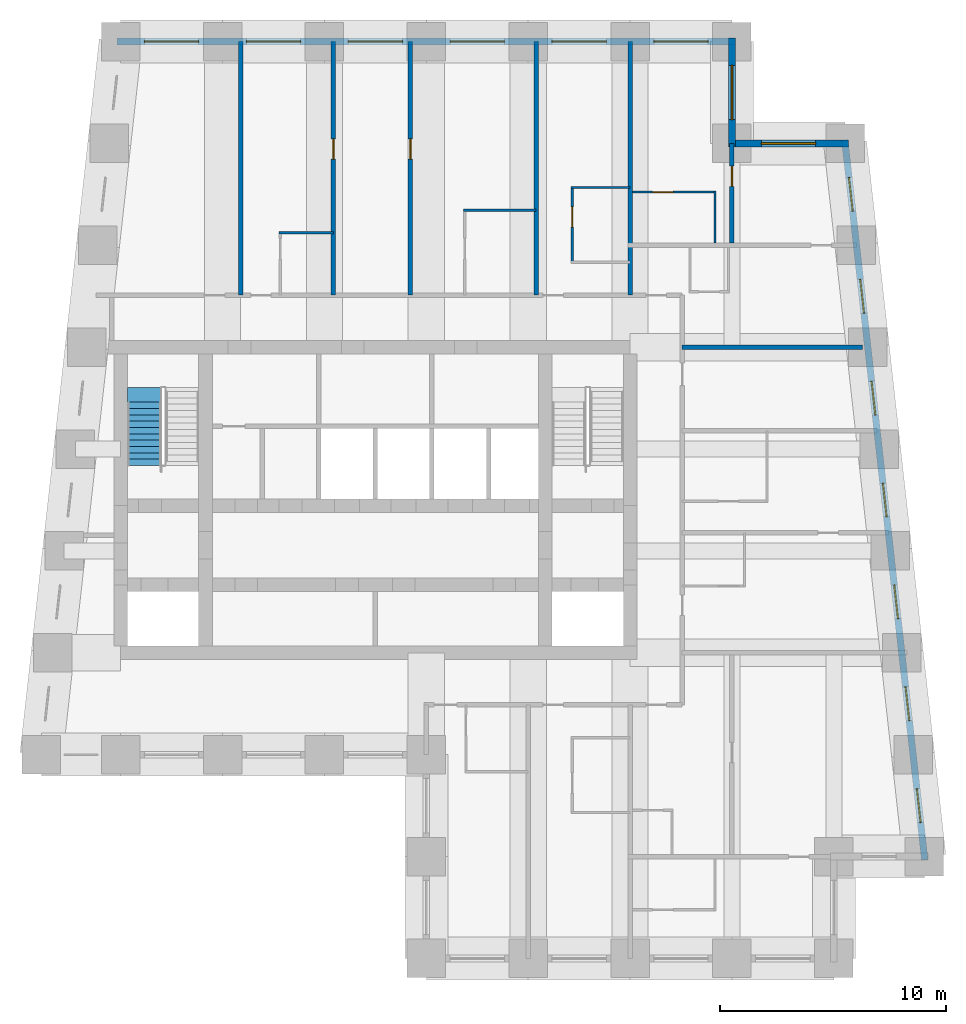
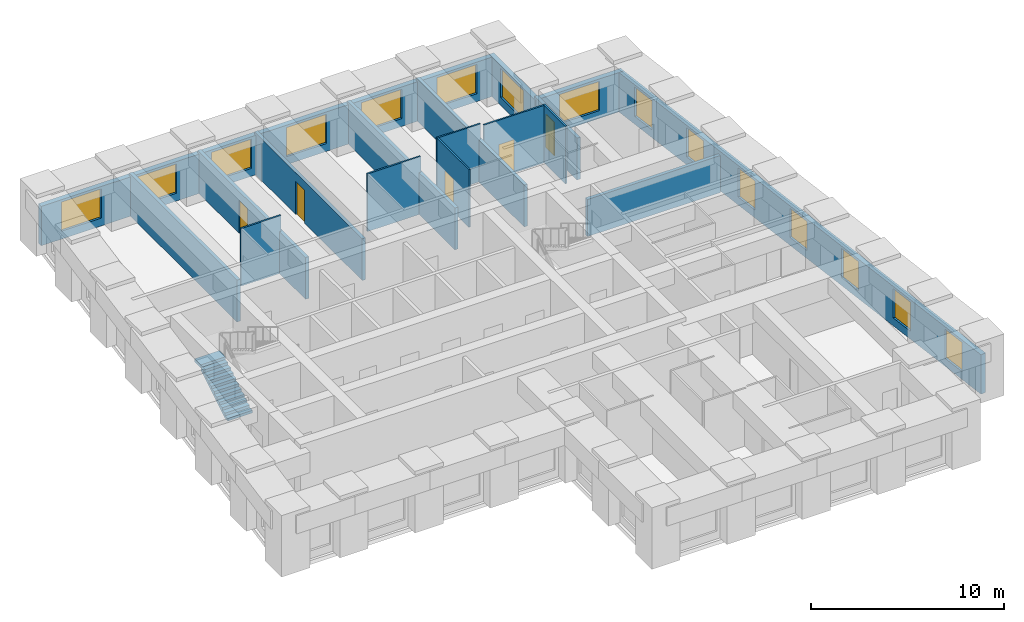
# One storey, part 5 of 7: 17 walls, 15 windows, 5 doors, 1 stair flight, 20 openings, 1 element without a shape of its own.
"""IFC4 building model written with IfcOpenShell, lengths in metres."""

from ifc_helpers import new_model, si_unit, direction, frame, frame_2d, origin, place, context, subcontext, project, spatial, polyline, rectangle, outline, extrude, material, layer, layer_set, type_object, element, fill, aggregate, save


model = new_model("IFC4")

# Units and contexts
model_context = context("Model", 3, precision=1e-05, world=origin(), true_north=direction((0.0, 1.0)))
body_context = subcontext(model_context, "Body", "Model", "MODEL_VIEW")
ifc_project = project(units=[si_unit("LENGTHUNIT", "METRE"), si_unit("AREAUNIT", "SQUARE_METRE"), si_unit("VOLUMEUNIT", "CUBIC_METRE"), si_unit("PLANEANGLEUNIT", "RADIAN"), si_unit("MASSUNIT", "GRAM", prefix="KILO")], contexts=[model_context])

# Site, building, storey
site_placement = place(None, origin())
site = spatial("IfcSite", under=ifc_project, at=site_placement, CompositionType="ELEMENT")
building_placement = place(site_placement, origin())
building = spatial("IfcBuilding", under=site, at=building_placement, Name="Kilele Tower Hotel", CompositionType="ELEMENT")
storey_placement = place(building_placement, frame((0.0, 0.0, 233.0)))
storey = spatial("IfcBuildingStorey", under=building, at=storey_placement, Name="L60", CompositionType="ELEMENT", Elevation=233.0)

# Walls
ifc_material_1 = material(Name="Moisture-resistant board")
ifc_layer_1 = layer(ifc_material_1, 0.10009765625)
ifc_layer_set_1 = layer_set([ifc_layer_1], Name="Moisture-resistant board")
wall_type_1 = type_object("IfcWallType", Name="Bathroom partition 100", PredefinedType="PLUMBINGWALL", material=ifc_layer_set_1)
wall_1_placement = place(storey_placement, frame((20.5, 32.050048828125, 0.0), z_axis=(0.0, 0.0, 1.0), x_axis=(1.0, 0.0, 0.0)))
element("IfcWall", 1, at=wall_1_placement, inside=storey, type_object=wall_type_1, Name="Bathroom partition 100 L60", PredefinedType="PLUMBINGWALL", context=body_context, shape_type="SweptSolid", body=[
    extrude(rectangle(XDim=2.39990234375, YDim=0.10009765625, at=frame_2d((1.199951171875, 0.0))), origin(), (0.0, 0.0, 1.0), 3.64990234375),
])
wall_2_placement = place(storey_placement, frame((28.64990234375, 33.050048828125, 0.0), z_axis=(0.0, 0.0, 1.0), x_axis=(1.0, 0.0, 0.0)))
element("IfcWall", 2, at=wall_2_placement, inside=storey, type_object=wall_type_1, Name="Bathroom partition 100 L60", PredefinedType="PLUMBINGWALL", context=body_context, shape_type="SweptSolid", body=[
    extrude(rectangle(XDim=3.2001953125, YDim=0.10009765625, at=frame_2d((1.60009765625, 0.0))), origin(), (0.0, 0.0, 1.0), 3.64990234375),
])
wall_3_placement = place(storey_placement, frame((33.39990234375, 34.050048828125, 0.0), z_axis=(0.0, 0.0, 1.0), x_axis=(1.0, 0.0, 0.0)))
element("IfcWall", 3, at=wall_3_placement, inside=storey, type_object=wall_type_1, Name="Bathroom partition 100 L60", PredefinedType="PLUMBINGWALL", context=body_context, shape_type="SweptSolid", body=[
    extrude(rectangle(XDim=2.60009765625, YDim=0.10009765625, at=frame_2d((1.300048828125, 0.0))), origin(), (0.0, 0.0, 1.0), 3.64990234375),
])

# Wall, opening, door
wall_4_placement = place(storey_placement, frame((33.449951171875, 30.699951171875, 0.0), z_axis=(0.0, 0.0, 1.0), x_axis=(0.0, 1.0, 0.0)))
wall_4 = element("IfcWall", 4, at=wall_4_placement, inside=storey, type_object=wall_type_1, Name="Bathroom partition 100 L60", PredefinedType="PLUMBINGWALL", context=body_context, shape_type="SweptSolid", body=[
    extrude(rectangle(XDim=3.400146484375, YDim=0.10009765625, at=frame_2d((1.7001953125, 0.0))), origin(), (0.0, 0.0, 1.0), 3.64990234375),
])
opening_1_placement = place(wall_4_placement, frame((1.60009765625, 0.0, 0.0)))
opening_1 = element("IfcOpeningElement", 5, at=opening_1_placement, cuts=wall_4, Name="Opening D2A", PredefinedType="OPENING", context=body_context, shape_type="SweptSolid", body=[
    extrude(rectangle(XDim=0.89990234375, YDim=2.10009765625, at=frame_2d((0.449951171875, 1.050048828125))), frame((0.0, 0.06005859375, 0.0), z_axis=(0.0, -1.0, 0.0), x_axis=(1.0, 0.0, 0.0)), (0.0, 0.0, 1.0), 0.1201171875),
])
ifc_material_2 = material(Name="Timber door leaf in hardwood frame", Category="wood")
door_type_1 = type_object("IfcDoorType", Name="Bathroom door 900", OperationType="SINGLE_SWING_LEFT", PredefinedType="DOOR", material=ifc_material_2)
door_1_placement = place(opening_1_placement, origin())
door_1 = element("IfcDoor", 6, at=door_1_placement, inside=storey, type_object=door_type_1, Name="Bathroom door 6011B", OperationType="SINGLE_SWING_RIGHT", OverallHeight=2.10009765625, OverallWidth=0.89990234375, PredefinedType="DOOR", context=body_context, shape_type="SweptSolid", body=[
    extrude(rectangle(XDim=0.89990234375, YDim=2.10009765625, at=frame_2d((0.449951171875, 1.050048828125))), frame((0.0, 0.02490234375, 0.0), z_axis=(0.0, -1.0, 0.0), x_axis=(1.0, 0.0, 0.0)), (0.0, 0.0, 1.0), 0.050048828125),
])
fill(opening_1, door_1)

# Wall
wall_5_placement = place(storey_placement, frame((39.75, 31.60009765625, 0.0), z_axis=(0.0, 0.0, 1.0), x_axis=(0.0, 1.0, 0.0)))
element("IfcWall", 7, at=wall_5_placement, inside=storey, type_object=wall_type_1, Name="Bathroom partition 100 L60", PredefinedType="PLUMBINGWALL", context=body_context, shape_type="SweptSolid", body=[
    extrude(rectangle(XDim=2.2998046875, YDim=0.10009765625, at=frame_2d((1.14990234375, 0.0))), origin(), (0.0, 0.0, 1.0), 3.64990234375),
])

# Wall, opening, door
wall_6_placement = place(storey_placement, frame((36.10009765625, 33.85009765625, 0.0), z_axis=(0.0, 0.0, 1.0), x_axis=(1.0, 0.0, 0.0)))
wall_6 = element("IfcWall", 8, at=wall_6_placement, inside=storey, type_object=wall_type_1, Name="Bathroom partition 100 L60", PredefinedType="PLUMBINGWALL", context=body_context, shape_type="SweptSolid", body=[
    extrude(rectangle(XDim=3.699951171875, YDim=0.10009765625, at=frame_2d((1.85009765625, 0.0))), origin(), (0.0, 0.0, 1.0), 3.64990234375),
])
opening_2_placement = place(wall_6_placement, frame((0.89990234375, 0.0, 0.0)))
opening_2 = element("IfcOpeningElement", 9, at=opening_2_placement, cuts=wall_6, Name="Opening D2A", PredefinedType="OPENING", context=body_context, shape_type="SweptSolid", body=[
    extrude(rectangle(XDim=0.89990234375, YDim=2.10009765625, at=frame_2d((0.449951171875, 1.050048828125))), frame((0.0, 0.06005859375, 0.0), z_axis=(0.0, -1.0, 0.0), x_axis=(1.0, 0.0, 0.0)), (0.0, 0.0, 1.0), 0.1201171875),
])
door_2_placement = place(opening_2_placement, origin())
door_2 = element("IfcDoor", 10, at=door_2_placement, inside=storey, type_object=door_type_1, Name="Bathroom door 6016B", OperationType="SINGLE_SWING_LEFT", OverallHeight=2.10009765625, OverallWidth=0.89990234375, PredefinedType="DOOR", context=body_context, shape_type="SweptSolid", body=[
    extrude(rectangle(XDim=0.89990234375, YDim=2.10009765625, at=frame_2d((0.449951171875, 1.050048828125))), frame((0.0, 0.02490234375, 0.0), z_axis=(0.0, -1.0, 0.0), x_axis=(1.0, 0.0, 0.0)), (0.0, 0.0, 1.0), 0.050048828125),
])
fill(opening_2, door_2)

ifc_material_3 = material(Name="Blockwork, plastered both sides", Category="masonry")
ifc_layer_2 = layer(ifc_material_3, 0.199951171875)
ifc_layer_set_2 = layer_set([ifc_layer_2], Name="Blockwork, plastered both sides")
wall_type_2 = type_object("IfcWallType", Name="Partition wall 200", PredefinedType="PARTITIONING", material=ifc_layer_set_2)
wall_7_placement = place(storey_placement, frame((40.5, 31.60009765625, 0.0), z_axis=(0.0, 0.0, 1.0), x_axis=(0.0, 1.0, 0.0)))
wall_7 = element("IfcWall", 11, at=wall_7_placement, inside=storey, type_object=wall_type_2, Name="Partition wall 200 L60", PredefinedType="PARTITIONING", context=body_context, shape_type="SweptSolid", body=[
    extrude(rectangle(XDim=4.39990234375, YDim=0.199951171875, at=frame_2d((2.199951171875, 0.0))), origin(), (0.0, 0.0, 1.0), 2.64990234375),
])
opening_3_placement = place(wall_7_placement, frame((2.5, 0.0, 0.0)))
opening_3 = element("IfcOpeningElement", 12, at=opening_3_placement, cuts=wall_7, Name="Opening D3", PredefinedType="OPENING", context=body_context, shape_type="SweptSolid", body=[
    extrude(rectangle(XDim=0.89990234375, YDim=2.10009765625, at=frame_2d((0.449951171875, 1.050048828125))), frame((0.0, 0.10986328125, 0.0), z_axis=(0.0, -1.0, 0.0), x_axis=(1.0, 0.0, 0.0)), (0.0, 0.0, 1.0), 0.219970703125),
])
ifc_material_4 = material(Name="Timber door leaf in hardwood frame", Category="wood")
door_type_2 = type_object("IfcDoorType", Name="Suite internal door 900", OperationType="SINGLE_SWING_LEFT", PredefinedType="DOOR", material=ifc_material_4)
door_3_placement = place(opening_3_placement, origin())
door_3 = element("IfcDoor", 13, at=door_3_placement, inside=storey, type_object=door_type_2, Name="Suite door 6017", OperationType="SINGLE_SWING_LEFT", OverallHeight=2.10009765625, OverallWidth=0.89990234375, PredefinedType="DOOR", context=body_context, shape_type="SweptSolid", body=[
    extrude(rectangle(XDim=0.89990234375, YDim=2.10009765625, at=frame_2d((0.449951171875, 1.050048828125))), frame((0.0, 0.02490234375, 0.0), z_axis=(0.0, -1.0, 0.0), x_axis=(1.0, 0.0, 0.0)), (0.0, 0.0, 1.0), 0.050048828125),
])
fill(opening_3, door_3)

# Wall
ifc_material_5 = material(Name="Blockwork, plastered both sides", Category="masonry")
ifc_layer_3 = layer(ifc_material_5, 0.199951171875)
ifc_layer_set_3 = layer_set([ifc_layer_3], Name="Blockwork, plastered both sides")
wall_type_3 = type_object("IfcWallType", Name="Party wall 200", PredefinedType="PARTITIONING", material=ifc_layer_set_3)
wall_8_placement = place(storey_placement, frame((18.800048828125, 29.300048828125, 0.0), z_axis=(0.0, 0.0, 1.0), x_axis=(0.0, 1.0, 0.0)))
element("IfcWall", 14, at=wall_8_placement, inside=storey, type_object=wall_type_3, Name="Party wall 200 L60", PredefinedType="PARTITIONING", context=body_context, shape_type="SweptSolid", body=[
    extrude(rectangle(XDim=11.199951171875, YDim=0.199951171875, at=frame_2d((5.60009765625, 0.0))), origin(), (0.0, 0.0, 1.0), 2.64990234375),
])

# Wall, opening, door
wall_9_placement = place(storey_placement, frame((22.89990234375, 29.300048828125, 0.0), z_axis=(0.0, 0.0, 1.0), x_axis=(0.0, 1.0, 0.0)))
wall_9 = element("IfcWall", 15, at=wall_9_placement, inside=storey, type_object=wall_type_3, Name="Party wall 200 L60", PredefinedType="PARTITIONING", context=body_context, shape_type="SweptSolid", body=[
    extrude(rectangle(XDim=11.199951171875, YDim=0.199951171875, at=frame_2d((5.60009765625, 0.0))), origin(), (0.0, 0.0, 1.0), 2.64990234375),
])
opening_4_placement = place(wall_9_placement, frame((6.0, 0.0, 0.0)))
opening_4 = element("IfcOpeningElement", 16, at=opening_4_placement, cuts=wall_9, Name="Opening D3", PredefinedType="OPENING", context=body_context, shape_type="SweptSolid", body=[
    extrude(rectangle(XDim=0.89990234375, YDim=2.10009765625, at=frame_2d((0.449951171875, 1.050048828125))), frame((0.0, 0.10986328125, 0.0), z_axis=(0.0, -1.0, 0.0), x_axis=(1.0, 0.0, 0.0)), (0.0, 0.0, 1.0), 0.219970703125),
])
door_4_placement = place(opening_4_placement, origin())
door_4 = element("IfcDoor", 17, at=door_4_placement, inside=storey, type_object=door_type_2, Name="Suite door 6009", OperationType="SINGLE_SWING_RIGHT", OverallHeight=2.10009765625, OverallWidth=0.89990234375, PredefinedType="DOOR", context=body_context, shape_type="SweptSolid", body=[
    extrude(rectangle(XDim=0.89990234375, YDim=2.10009765625, at=frame_2d((0.449951171875, 1.050048828125))), frame((0.0, 0.02490234375, 0.0), z_axis=(0.0, -1.0, 0.0), x_axis=(1.0, 0.0, 0.0)), (0.0, 0.0, 1.0), 0.050048828125),
])
fill(opening_4, door_4)

wall_10_placement = place(storey_placement, frame((26.300048828125, 29.300048828125, 0.0), z_axis=(0.0, 0.0, 1.0), x_axis=(0.0, 1.0, 0.0)))
wall_10 = element("IfcWall", 18, at=wall_10_placement, inside=storey, type_object=wall_type_3, Name="Party wall 200 L60", PredefinedType="PARTITIONING", context=body_context, shape_type="SweptSolid", body=[
    extrude(rectangle(XDim=11.199951171875, YDim=0.199951171875, at=frame_2d((5.60009765625, 0.0))), origin(), (0.0, 0.0, 1.0), 2.64990234375),
])
opening_5_placement = place(wall_10_placement, frame((6.0, 0.0, 0.0)))
opening_5 = element("IfcOpeningElement", 19, at=opening_5_placement, cuts=wall_10, Name="Opening D3", PredefinedType="OPENING", context=body_context, shape_type="SweptSolid", body=[
    extrude(rectangle(XDim=0.89990234375, YDim=2.10009765625, at=frame_2d((0.449951171875, 1.050048828125))), frame((0.0, 0.10986328125, 0.0), z_axis=(0.0, -1.0, 0.0), x_axis=(1.0, 0.0, 0.0)), (0.0, 0.0, 1.0), 0.219970703125),
])
door_5_placement = place(opening_5_placement, origin())
door_5 = element("IfcDoor", 20, at=door_5_placement, inside=storey, type_object=door_type_2, Name="Suite door 6010", OperationType="SINGLE_SWING_RIGHT", OverallHeight=2.10009765625, OverallWidth=0.89990234375, PredefinedType="DOOR", context=body_context, shape_type="SweptSolid", body=[
    extrude(rectangle(XDim=0.89990234375, YDim=2.10009765625, at=frame_2d((0.449951171875, 1.050048828125))), frame((0.0, 0.02490234375, 0.0), z_axis=(0.0, -1.0, 0.0), x_axis=(1.0, 0.0, 0.0)), (0.0, 0.0, 1.0), 0.050048828125),
])
fill(opening_5, door_5)

# Walls
wall_11_placement = place(storey_placement, frame((31.85009765625, 29.300048828125, 0.0), z_axis=(0.0, 0.0, 1.0), x_axis=(0.0, 1.0, 0.0)))
element("IfcWall", 21, at=wall_11_placement, inside=storey, type_object=wall_type_3, Name="Party wall 200 L60", PredefinedType="PARTITIONING", context=body_context, shape_type="SweptSolid", body=[
    extrude(rectangle(XDim=11.199951171875, YDim=0.199951171875, at=frame_2d((5.60009765625, 0.0))), origin(), (0.0, 0.0, 1.0), 2.64990234375),
])
wall_12_placement = place(storey_placement, frame((38.300048828125, 27.0, 0.0), z_axis=(0.0, 0.0, 1.0), x_axis=(1.0, 0.0, 0.0)))
element("IfcWall", 22, at=wall_12_placement, inside=storey, type_object=wall_type_3, Name="Party wall 200 L60", PredefinedType="PARTITIONING", context=body_context, shape_type="SweptSolid", body=[
    extrude(rectangle(XDim=7.976806640625, YDim=0.199951171875, at=frame_2d((3.98828125, 0.0))), origin(), (0.0, 0.0, 1.0), 2.35009765625),
])
wall_13_placement = place(storey_placement, frame((36.0, 29.300048828125, 0.0), z_axis=(0.0, 0.0, 1.0), x_axis=(0.0, 1.0, 0.0)))
element("IfcWall", 23, at=wall_13_placement, inside=storey, type_object=wall_type_3, Name="Party wall 200 L60", PredefinedType="PARTITIONING", context=body_context, shape_type="SweptSolid", body=[
    extrude(rectangle(XDim=11.199951171875, YDim=0.199951171875, at=frame_2d((5.60009765625, 0.0))), origin(), (0.0, 0.0, 1.0), 2.64990234375),
])

# Wall, openings, windows
ifc_material_6 = material(Name="Concrete C40/50 precast", Category="concrete")
ifc_layer_4 = layer(ifc_material_6, 0.260009765625, Name="Precast backing", Category="LoadBearing")
ifc_material_7 = material(Name="Reconstituted stone finish", Category="masonry")
ifc_layer_5 = layer(ifc_material_7, 0.0400390625, Name="Face mix", Category="Finish")
ifc_layer_set_4 = layer_set([ifc_layer_4, ifc_layer_5], Name="Precast concrete C40/50, reconstituted stone finish")
wall_type_4 = type_object("IfcWallType", Name="Precast stone facade wall 300", PredefinedType="STANDARD", material=ifc_layer_set_4)
wall_14_placement = place(storey_placement, frame((49.0166015625, 4.350830078125, 0.0), z_axis=(0.0, 0.0, 1.0), x_axis=(-0.110433201132, 0.993883548555, 0.0)))
wall_14 = element("IfcWall", 24, at=wall_14_placement, inside=storey, type_object=wall_type_4, Name="Facade wall L60 edge 6", PredefinedType="STANDARD", context=body_context, shape_type="SweptSolid", body=[
    extrude(rectangle(XDim=31.994140625, YDim=0.300048828125, at=frame_2d((15.9970703125, 0.0))), origin(), (0.0, 0.0, 1.0), 2.5),
])
opening_6_placement = place(wall_14_placement, frame((1.6640625, 0.0, 0.5)))
opening_6 = element("IfcOpeningElement", 25, at=opening_6_placement, cuts=wall_14, Name="Opening W4", PredefinedType="OPENING", context=body_context, shape_type="SweptSolid", body=[
    extrude(rectangle(XDim=1.5, YDim=1.85009765625, at=frame_2d((0.75, 0.925048828125))), frame((0.0, 0.159912109375, 0.0), z_axis=(0.0, -1.0, 0.0), x_axis=(1.0, 0.0, 0.0)), (0.0, 0.0, 1.0), 0.320068359375),
])
opening_7_placement = place(wall_14_placement, frame((6.19189453125, 0.0, 0.5)))
opening_7 = element("IfcOpeningElement", 26, at=opening_7_placement, cuts=wall_14, Name="Opening W4", PredefinedType="OPENING", context=body_context, shape_type="SweptSolid", body=[
    extrude(rectangle(XDim=1.5, YDim=1.85009765625, at=frame_2d((0.75, 0.925048828125))), frame((0.0, 0.159912109375, 0.0), z_axis=(0.0, -1.0, 0.0), x_axis=(1.0, 0.0, 0.0)), (0.0, 0.0, 1.0), 0.320068359375),
])
opening_8_placement = place(wall_14_placement, frame((10.718994140625, 0.0, 0.5)))
opening_8 = element("IfcOpeningElement", 27, at=opening_8_placement, cuts=wall_14, Name="Opening W4", PredefinedType="OPENING", context=body_context, shape_type="SweptSolid", body=[
    extrude(rectangle(XDim=1.5, YDim=1.85009765625, at=frame_2d((0.75, 0.925048828125))), frame((0.0, 0.159912109375, 0.0), z_axis=(0.0, -1.0, 0.0), x_axis=(1.0, 0.0, 0.0)), (0.0, 0.0, 1.0), 0.320068359375),
])
opening_9_placement = place(wall_14_placement, frame((15.2470703125, 0.0, 0.5)))
opening_9 = element("IfcOpeningElement", 28, at=opening_9_placement, cuts=wall_14, Name="Opening W4", PredefinedType="OPENING", context=body_context, shape_type="SweptSolid", body=[
    extrude(rectangle(XDim=1.5, YDim=1.85009765625, at=frame_2d((0.75, 0.925048828125))), frame((0.0, 0.159912109375, 0.0), z_axis=(0.0, -1.0, 0.0), x_axis=(1.0, 0.0, 0.0)), (0.0, 0.0, 1.0), 0.320068359375),
])
opening_10_placement = place(wall_14_placement, frame((19.77490234375, 0.0, 0.5)))
opening_10 = element("IfcOpeningElement", 29, at=opening_10_placement, cuts=wall_14, Name="Opening W4", PredefinedType="OPENING", context=body_context, shape_type="SweptSolid", body=[
    extrude(rectangle(XDim=1.5, YDim=1.85009765625, at=frame_2d((0.75, 0.925048828125))), frame((0.0, 0.159912109375, 0.0), z_axis=(0.0, -1.0, 0.0), x_axis=(1.0, 0.0, 0.0)), (0.0, 0.0, 1.0), 0.320068359375),
])
opening_11_placement = place(wall_14_placement, frame((24.302001953125, 0.0, 0.5)))
opening_11 = element("IfcOpeningElement", 30, at=opening_11_placement, cuts=wall_14, Name="Opening W4", PredefinedType="OPENING", context=body_context, shape_type="SweptSolid", body=[
    extrude(rectangle(XDim=1.5, YDim=1.85009765625, at=frame_2d((0.75, 0.925048828125))), frame((0.0, 0.159912109375, 0.0), z_axis=(0.0, -1.0, 0.0), x_axis=(1.0, 0.0, 0.0)), (0.0, 0.0, 1.0), 0.320068359375),
])
opening_12_placement = place(wall_14_placement, frame((28.830078125, 0.0, 0.5)))
opening_12 = element("IfcOpeningElement", 31, at=opening_12_placement, cuts=wall_14, Name="Opening W4", PredefinedType="OPENING", context=body_context, shape_type="SweptSolid", body=[
    extrude(rectangle(XDim=1.5, YDim=1.85009765625, at=frame_2d((0.75, 0.925048828125))), frame((0.0, 0.159912109375, 0.0), z_axis=(0.0, -1.0, 0.0), x_axis=(1.0, 0.0, 0.0)), (0.0, 0.0, 1.0), 0.320068359375),
])
ifc_material_8 = material(Name="Aluminium frame, clear double glazing", Category="aluminium")
window_type_1 = type_object("IfcWindowType", Name="Window W4 1500 x 1850", PartitioningType="SINGLE_PANEL", PredefinedType="WINDOW", material=ifc_material_8)
window_1_placement = place(opening_6_placement, origin())
window_1 = element("IfcWindow", 32, at=window_1_placement, inside=storey, type_object=window_type_1, Name="Window L60", OverallHeight=1.85009765625, OverallWidth=1.5, PartitioningType="SINGLE_PANEL", PredefinedType="WINDOW", context=body_context, shape_type="SweptSolid", body=[
    extrude(rectangle(XDim=1.5, YDim=1.85009765625, at=frame_2d((0.75, 0.925048828125))), frame((0.0, 0.030029296875, 0.0), z_axis=(0.0, -1.0, 0.0), x_axis=(1.0, 0.0, 0.0)), (0.0, 0.0, 1.0), 0.06005859375),
])
fill(opening_6, window_1)
window_2_placement = place(opening_7_placement, origin())
window_2 = element("IfcWindow", 33, at=window_2_placement, inside=storey, type_object=window_type_1, Name="Window L60", OverallHeight=1.85009765625, OverallWidth=1.5, PartitioningType="SINGLE_PANEL", PredefinedType="WINDOW", context=body_context, shape_type="SweptSolid", body=[
    extrude(rectangle(XDim=1.5, YDim=1.85009765625, at=frame_2d((0.75, 0.925048828125))), frame((0.0, 0.030029296875, 0.0), z_axis=(0.0, -1.0, 0.0), x_axis=(1.0, 0.0, 0.0)), (0.0, 0.0, 1.0), 0.06005859375),
])
fill(opening_7, window_2)
window_3_placement = place(opening_8_placement, origin())
window_3 = element("IfcWindow", 34, at=window_3_placement, inside=storey, type_object=window_type_1, Name="Window L60", OverallHeight=1.85009765625, OverallWidth=1.5, PartitioningType="SINGLE_PANEL", PredefinedType="WINDOW", context=body_context, shape_type="SweptSolid", body=[
    extrude(rectangle(XDim=1.5, YDim=1.85009765625, at=frame_2d((0.75, 0.925048828125))), frame((0.0, 0.030029296875, 0.0), z_axis=(0.0, -1.0, 0.0), x_axis=(1.0, 0.0, 0.0)), (0.0, 0.0, 1.0), 0.06005859375),
])
fill(opening_8, window_3)
window_4_placement = place(opening_9_placement, origin())
window_4 = element("IfcWindow", 35, at=window_4_placement, inside=storey, type_object=window_type_1, Name="Window L60", OverallHeight=1.85009765625, OverallWidth=1.5, PartitioningType="SINGLE_PANEL", PredefinedType="WINDOW", context=body_context, shape_type="SweptSolid", body=[
    extrude(rectangle(XDim=1.5, YDim=1.85009765625, at=frame_2d((0.75, 0.925048828125))), frame((0.0, 0.030029296875, 0.0), z_axis=(0.0, -1.0, 0.0), x_axis=(1.0, 0.0, 0.0)), (0.0, 0.0, 1.0), 0.06005859375),
])
fill(opening_9, window_4)
window_5_placement = place(opening_10_placement, origin())
window_5 = element("IfcWindow", 36, at=window_5_placement, inside=storey, type_object=window_type_1, Name="Window L60", OverallHeight=1.85009765625, OverallWidth=1.5, PartitioningType="SINGLE_PANEL", PredefinedType="WINDOW", context=body_context, shape_type="SweptSolid", body=[
    extrude(rectangle(XDim=1.5, YDim=1.85009765625, at=frame_2d((0.75, 0.925048828125))), frame((0.0, 0.030029296875, 0.0), z_axis=(0.0, -1.0, 0.0), x_axis=(1.0, 0.0, 0.0)), (0.0, 0.0, 1.0), 0.06005859375),
])
fill(opening_10, window_5)
window_6_placement = place(opening_11_placement, origin())
window_6 = element("IfcWindow", 37, at=window_6_placement, inside=storey, type_object=window_type_1, Name="Window L60", OverallHeight=1.85009765625, OverallWidth=1.5, PartitioningType="SINGLE_PANEL", PredefinedType="WINDOW", context=body_context, shape_type="SweptSolid", body=[
    extrude(rectangle(XDim=1.5, YDim=1.85009765625, at=frame_2d((0.75, 0.925048828125))), frame((0.0, 0.030029296875, 0.0), z_axis=(0.0, -1.0, 0.0), x_axis=(1.0, 0.0, 0.0)), (0.0, 0.0, 1.0), 0.06005859375),
])
fill(opening_11, window_6)
window_7_placement = place(opening_12_placement, origin())
window_7 = element("IfcWindow", 38, at=window_7_placement, inside=storey, type_object=window_type_1, Name="Window L60", OverallHeight=1.85009765625, OverallWidth=1.5, PartitioningType="SINGLE_PANEL", PredefinedType="WINDOW", context=body_context, shape_type="SweptSolid", body=[
    extrude(rectangle(XDim=1.5, YDim=1.85009765625, at=frame_2d((0.75, 0.925048828125))), frame((0.0, 0.030029296875, 0.0), z_axis=(0.0, -1.0, 0.0), x_axis=(1.0, 0.0, 0.0)), (0.0, 0.0, 1.0), 0.06005859375),
])
fill(opening_12, window_7)

# Wall, opening, window
wall_15_placement = place(storey_placement, frame((45.64990234375, 36.0, 0.0), z_axis=(0.0, 0.0, 1.0), x_axis=(-1.0, 0.0, 0.0)))
wall_15 = element("IfcWall", 39, at=wall_15_placement, inside=storey, type_object=wall_type_4, Name="Facade wall L60 edge 7", PredefinedType="STANDARD", context=body_context, shape_type="SweptSolid", body=[
    extrude(rectangle(XDim=5.2998046875, YDim=0.300048828125, at=frame_2d((2.64990234375, 0.0))), origin(), (0.0, 0.0, 1.0), 2.5),
])
opening_13_placement = place(wall_15_placement, frame((1.449951171875, 0.0, 0.5)))
opening_13 = element("IfcOpeningElement", 40, at=opening_13_placement, cuts=wall_15, Name="Opening W4", PredefinedType="OPENING", context=body_context, shape_type="SweptSolid", body=[
    extrude(rectangle(XDim=2.39990234375, YDim=1.85009765625, at=frame_2d((1.199951171875, 0.925048828125))), frame((0.0, 0.159912109375, 0.0), z_axis=(0.0, -1.0, 0.0), x_axis=(1.0, 0.0, 0.0)), (0.0, 0.0, 1.0), 0.320068359375),
])
ifc_material_9 = material(Name="Aluminium frame, clear double glazing", Category="aluminium")
window_type_2 = type_object("IfcWindowType", Name="Window W4 2400 x 1850", PartitioningType="SINGLE_PANEL", PredefinedType="WINDOW", material=ifc_material_9)
window_8_placement = place(opening_13_placement, origin())
window_8 = element("IfcWindow", 41, at=window_8_placement, inside=storey, type_object=window_type_2, Name="Window L60", OverallHeight=1.85009765625, OverallWidth=2.39990234375, PartitioningType="SINGLE_PANEL", PredefinedType="WINDOW", context=body_context, shape_type="SweptSolid", body=[
    extrude(rectangle(XDim=2.39990234375, YDim=1.85009765625, at=frame_2d((1.199951171875, 0.925048828125))), frame((0.0, 0.030029296875, 0.0), z_axis=(0.0, -1.0, 0.0), x_axis=(1.0, 0.0, 0.0)), (0.0, 0.0, 1.0), 0.06005859375),
])
fill(opening_13, window_8)

wall_16_placement = place(storey_placement, frame((40.5, 35.85009765625, 0.0), z_axis=(0.0, 0.0, 1.0), x_axis=(0.0, 1.0, 0.0)))
wall_16 = element("IfcWall", 42, at=wall_16_placement, inside=storey, type_object=wall_type_4, Name="Facade wall L60 edge 8", PredefinedType="STANDARD", context=body_context, shape_type="SweptSolid", body=[
    extrude(rectangle(XDim=4.7998046875, YDim=0.300048828125, at=frame_2d((2.39990234375, 0.0))), origin(), (0.0, 0.0, 1.0), 2.5),
])
opening_14_placement = place(wall_16_placement, frame((1.199951171875, 0.0, 0.5)))
opening_14 = element("IfcOpeningElement", 43, at=opening_14_placement, cuts=wall_16, Name="Opening W4", PredefinedType="OPENING", context=body_context, shape_type="SweptSolid", body=[
    extrude(rectangle(XDim=2.39990234375, YDim=1.85009765625, at=frame_2d((1.199951171875, 0.925048828125))), frame((0.0, 0.159912109375, 0.0), z_axis=(0.0, -1.0, 0.0), x_axis=(1.0, 0.0, 0.0)), (0.0, 0.0, 1.0), 0.320068359375),
])
window_9_placement = place(opening_14_placement, origin())
window_9 = element("IfcWindow", 44, at=window_9_placement, inside=storey, type_object=window_type_2, Name="Window L60", OverallHeight=1.85009765625, OverallWidth=2.39990234375, PartitioningType="SINGLE_PANEL", PredefinedType="WINDOW", context=body_context, shape_type="SweptSolid", body=[
    extrude(rectangle(XDim=2.39990234375, YDim=1.85009765625, at=frame_2d((1.199951171875, 0.925048828125))), frame((0.0, 0.030029296875, 0.0), z_axis=(0.0, -1.0, 0.0), x_axis=(1.0, 0.0, 0.0)), (0.0, 0.0, 1.0), 0.06005859375),
])
fill(opening_14, window_9)

# Wall, openings, windows
wall_17_placement = place(storey_placement, frame((40.64990234375, 40.5, 0.0), z_axis=(0.0, 0.0, 1.0), x_axis=(-1.0, 0.0, 0.0)))
wall_17 = element("IfcWall", 45, at=wall_17_placement, inside=storey, type_object=wall_type_4, Name="Facade wall L60 edge 9", PredefinedType="STANDARD", context=body_context, shape_type="SweptSolid", body=[
    extrude(rectangle(XDim=27.2998046875, YDim=0.300048828125, at=frame_2d((13.64990234375, 0.0))), origin(), (0.0, 0.0, 1.0), 2.5),
])
opening_15_placement = place(wall_17_placement, frame((1.199951171875, 0.0, 0.5)))
opening_15 = element("IfcOpeningElement", 46, at=opening_15_placement, cuts=wall_17, Name="Opening W4", PredefinedType="OPENING", context=body_context, shape_type="SweptSolid", body=[
    extrude(rectangle(XDim=2.39990234375, YDim=1.85009765625, at=frame_2d((1.199951171875, 0.925048828125))), frame((0.0, 0.159912109375, 0.0), z_axis=(0.0, -1.0, 0.0), x_axis=(1.0, 0.0, 0.0)), (0.0, 0.0, 1.0), 0.320068359375),
])
opening_16_placement = place(wall_17_placement, frame((5.699951171875, 0.0, 0.5)))
opening_16 = element("IfcOpeningElement", 47, at=opening_16_placement, cuts=wall_17, Name="Opening W4", PredefinedType="OPENING", context=body_context, shape_type="SweptSolid", body=[
    extrude(rectangle(XDim=2.39990234375, YDim=1.85009765625, at=frame_2d((1.199951171875, 0.925048828125))), frame((0.0, 0.159912109375, 0.0), z_axis=(0.0, -1.0, 0.0), x_axis=(1.0, 0.0, 0.0)), (0.0, 0.0, 1.0), 0.320068359375),
])
opening_17_placement = place(wall_17_placement, frame((10.199951171875, 0.0, 0.5)))
opening_17 = element("IfcOpeningElement", 48, at=opening_17_placement, cuts=wall_17, Name="Opening W4", PredefinedType="OPENING", context=body_context, shape_type="SweptSolid", body=[
    extrude(rectangle(XDim=2.39990234375, YDim=1.85009765625, at=frame_2d((1.199951171875, 0.925048828125))), frame((0.0, 0.159912109375, 0.0), z_axis=(0.0, -1.0, 0.0), x_axis=(1.0, 0.0, 0.0)), (0.0, 0.0, 1.0), 0.320068359375),
])
opening_18_placement = place(wall_17_placement, frame((14.699951171875, 0.0, 0.5)))
opening_18 = element("IfcOpeningElement", 49, at=opening_18_placement, cuts=wall_17, Name="Opening W4", PredefinedType="OPENING", context=body_context, shape_type="SweptSolid", body=[
    extrude(rectangle(XDim=2.39990234375, YDim=1.85009765625, at=frame_2d((1.199951171875, 0.925048828125))), frame((0.0, 0.159912109375, 0.0), z_axis=(0.0, -1.0, 0.0), x_axis=(1.0, 0.0, 0.0)), (0.0, 0.0, 1.0), 0.320068359375),
])
opening_19_placement = place(wall_17_placement, frame((19.199951171875, 0.0, 0.5)))
opening_19 = element("IfcOpeningElement", 50, at=opening_19_placement, cuts=wall_17, Name="Opening W4", PredefinedType="OPENING", context=body_context, shape_type="SweptSolid", body=[
    extrude(rectangle(XDim=2.39990234375, YDim=1.85009765625, at=frame_2d((1.199951171875, 0.925048828125))), frame((0.0, 0.159912109375, 0.0), z_axis=(0.0, -1.0, 0.0), x_axis=(1.0, 0.0, 0.0)), (0.0, 0.0, 1.0), 0.320068359375),
])
opening_20_placement = place(wall_17_placement, frame((23.699951171875, 0.0, 0.5)))
opening_20 = element("IfcOpeningElement", 51, at=opening_20_placement, cuts=wall_17, Name="Opening W4", PredefinedType="OPENING", context=body_context, shape_type="SweptSolid", body=[
    extrude(rectangle(XDim=2.39990234375, YDim=1.85009765625, at=frame_2d((1.199951171875, 0.925048828125))), frame((0.0, 0.159912109375, 0.0), z_axis=(0.0, -1.0, 0.0), x_axis=(1.0, 0.0, 0.0)), (0.0, 0.0, 1.0), 0.320068359375),
])
window_10_placement = place(opening_15_placement, origin())
window_10 = element("IfcWindow", 52, at=window_10_placement, inside=storey, type_object=window_type_2, Name="Window L60", OverallHeight=1.85009765625, OverallWidth=2.39990234375, PartitioningType="SINGLE_PANEL", PredefinedType="WINDOW", context=body_context, shape_type="SweptSolid", body=[
    extrude(rectangle(XDim=2.39990234375, YDim=1.85009765625, at=frame_2d((1.199951171875, 0.925048828125))), frame((0.0, 0.030029296875, 0.0), z_axis=(0.0, -1.0, 0.0), x_axis=(1.0, 0.0, 0.0)), (0.0, 0.0, 1.0), 0.06005859375),
])
fill(opening_15, window_10)
window_11_placement = place(opening_16_placement, origin())
window_11 = element("IfcWindow", 53, at=window_11_placement, inside=storey, type_object=window_type_2, Name="Window L60", OverallHeight=1.85009765625, OverallWidth=2.39990234375, PartitioningType="SINGLE_PANEL", PredefinedType="WINDOW", context=body_context, shape_type="SweptSolid", body=[
    extrude(rectangle(XDim=2.39990234375, YDim=1.85009765625, at=frame_2d((1.199951171875, 0.925048828125))), frame((0.0, 0.030029296875, 0.0), z_axis=(0.0, -1.0, 0.0), x_axis=(1.0, 0.0, 0.0)), (0.0, 0.0, 1.0), 0.06005859375),
])
fill(opening_16, window_11)
window_12_placement = place(opening_17_placement, origin())
window_12 = element("IfcWindow", 54, at=window_12_placement, inside=storey, type_object=window_type_2, Name="Window L60", OverallHeight=1.85009765625, OverallWidth=2.39990234375, PartitioningType="SINGLE_PANEL", PredefinedType="WINDOW", context=body_context, shape_type="SweptSolid", body=[
    extrude(rectangle(XDim=2.39990234375, YDim=1.85009765625, at=frame_2d((1.199951171875, 0.925048828125))), frame((0.0, 0.030029296875, 0.0), z_axis=(0.0, -1.0, 0.0), x_axis=(1.0, 0.0, 0.0)), (0.0, 0.0, 1.0), 0.06005859375),
])
fill(opening_17, window_12)
window_13_placement = place(opening_18_placement, origin())
window_13 = element("IfcWindow", 55, at=window_13_placement, inside=storey, type_object=window_type_2, Name="Window L60", OverallHeight=1.85009765625, OverallWidth=2.39990234375, PartitioningType="SINGLE_PANEL", PredefinedType="WINDOW", context=body_context, shape_type="SweptSolid", body=[
    extrude(rectangle(XDim=2.39990234375, YDim=1.85009765625, at=frame_2d((1.199951171875, 0.925048828125))), frame((0.0, 0.030029296875, 0.0), z_axis=(0.0, -1.0, 0.0), x_axis=(1.0, 0.0, 0.0)), (0.0, 0.0, 1.0), 0.06005859375),
])
fill(opening_18, window_13)
window_14_placement = place(opening_19_placement, origin())
window_14 = element("IfcWindow", 56, at=window_14_placement, inside=storey, type_object=window_type_2, Name="Window L60", OverallHeight=1.85009765625, OverallWidth=2.39990234375, PartitioningType="SINGLE_PANEL", PredefinedType="WINDOW", context=body_context, shape_type="SweptSolid", body=[
    extrude(rectangle(XDim=2.39990234375, YDim=1.85009765625, at=frame_2d((1.199951171875, 0.925048828125))), frame((0.0, 0.030029296875, 0.0), z_axis=(0.0, -1.0, 0.0), x_axis=(1.0, 0.0, 0.0)), (0.0, 0.0, 1.0), 0.06005859375),
])
fill(opening_19, window_14)
window_15_placement = place(opening_20_placement, origin())
window_15 = element("IfcWindow", 57, at=window_15_placement, inside=storey, type_object=window_type_2, Name="Window L60", OverallHeight=1.85009765625, OverallWidth=2.39990234375, PartitioningType="SINGLE_PANEL", PredefinedType="WINDOW", context=body_context, shape_type="SweptSolid", body=[
    extrude(rectangle(XDim=2.39990234375, YDim=1.85009765625, at=frame_2d((1.199951171875, 0.925048828125))), frame((0.0, 0.030029296875, 0.0), z_axis=(0.0, -1.0, 0.0), x_axis=(1.0, 0.0, 0.0)), (0.0, 0.0, 1.0), 0.06005859375),
])
fill(opening_20, window_15)

# Stair, stair flight
ifc_material_10 = material(Name="Precast concrete C40/50", Category="concrete")
stair_type = type_object("IfcStairType", Name="Stair 1475 x 3900", PredefinedType="HALF_TURN_STAIR", material=ifc_material_10)
stair_placement = place(storey_placement, origin())
stair = element("IfcStair", 58, at=stair_placement, inside=storey, type_object=stair_type, Name="Stair 1 L60", PredefinedType="HALF_TURN_STAIR")
ifc_material_11 = material(Name="Precast concrete C40/50", Category="concrete")
stair_flight_type = type_object("IfcStairFlightType", Name="Flight 1475 riser 169.6", PredefinedType="STRAIGHT", material=ifc_material_11)
stair_flight_placement = place(storey_placement, frame((14.53759765625, 21.77490234375, 0.0), z_axis=(0.0, 0.0, 1.0), x_axis=(0.0, 1.0, 0.0)))
stair_flight = element("IfcStairFlight", 59, at=stair_flight_placement, type_object=stair_flight_type, Name="ST1 flight 1", NumberOfRisers=11, NumberOfTreads=10, PredefinedType="STRAIGHT", RiserHeight=0.169565217, TreadLength=0.28, context=body_context, shape_type="SweptSolid", body=[
    extrude(outline(polyline([(0.0, 0.0), (0.0, 0.169677734375), (0.280029296875, 0.169677734375), (0.280029296875, 0.339111328125), (0.56005859375, 0.339111328125), (0.56005859375, 0.5087890625), (0.840087890625, 0.5087890625), (0.840087890625, 0.67822265625), (1.1201171875, 0.67822265625), (1.1201171875, 0.847900390625), (1.39990234375, 0.847900390625), (1.39990234375, 1.017333984375), (1.679931640625, 1.017333984375), (1.679931640625, 1.18701171875), (1.9599609375, 1.18701171875), (1.9599609375, 1.3564453125), (2.239990234375, 1.3564453125), (2.239990234375, 1.526123046875), (2.52001953125, 1.526123046875), (2.52001953125, 1.695556640625), (2.800048828125, 1.695556640625), (2.800048828125, 1.865234375), (2.800048828125, 1.5205078125), (0.289306640625, 0.0), (0.0, 0.0)])), frame((0.0, 0.737548828125, 0.0), z_axis=(0.0, -1.0, 0.0), x_axis=(1.0, 0.0, 0.0)), (0.0, 0.0, 1.0), 1.47509765625),
    extrude(outline(polyline([(2.800048828125, 0.737548828125), (2.800048828125, -0.7373046875), (3.4501953125, -0.7373046875), (3.4501953125, 0.737548828125), (2.800048828125, 0.737548828125)])), frame((0.0, 0.0, 1.665283203125)), (0.0, 0.0, 1.0), 0.199951171875),
])
aggregate(stair, [stair_flight])

save(model, "model.ifc")
